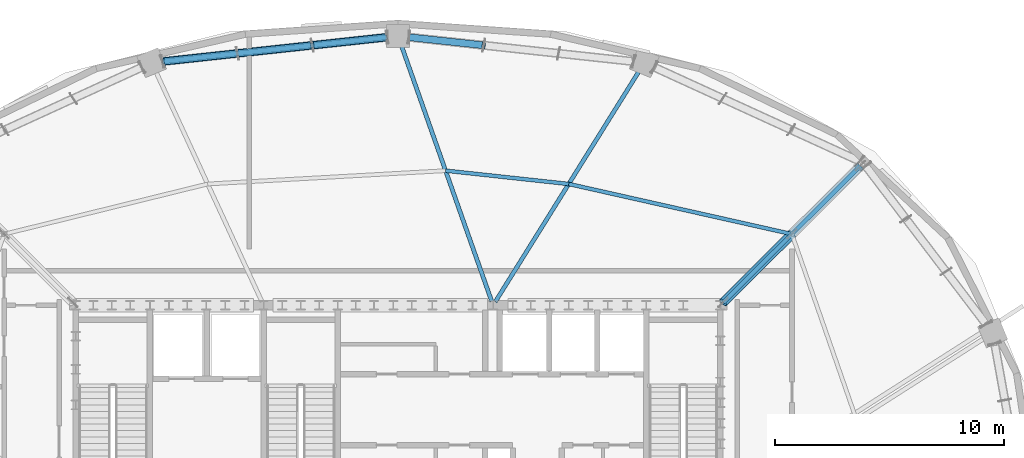
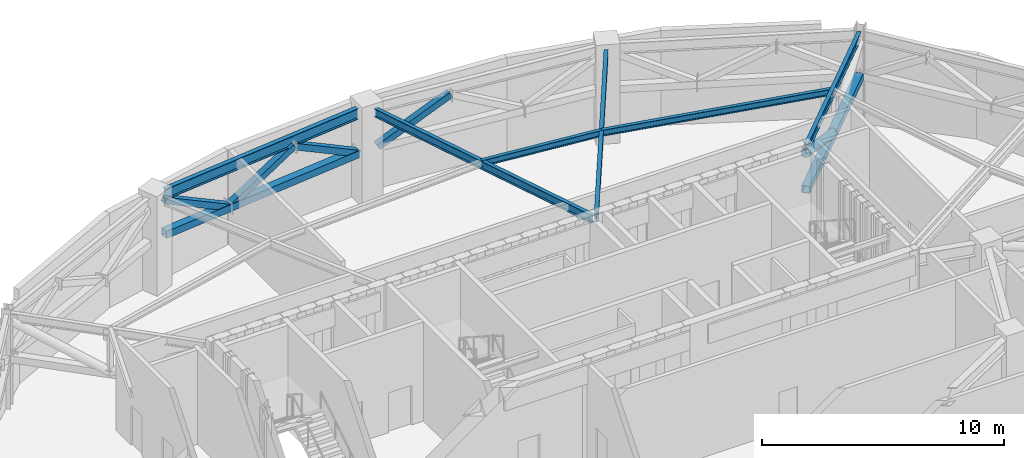
# One storey, part 7 of 20: 7 members, 6 beams.
"""IFC4 building model written with IfcOpenShell, lengths in metres."""

from ifc_helpers import new_model, si_unit, direction, frame, origin, origin_2d, place, context, subcontext, project, spatial, hollow_rectangle, hollow_circle, i_section, extrude, material, material_profile, profile_set, type_object, element, save


model = new_model("IFC4")

# Units and contexts
model_context = context("Model", 3, precision=1e-05, world=origin(), true_north=direction((0.0, 1.0)))
body_context = subcontext(model_context, "Body", "Model", "MODEL_VIEW")
ifc_project = project(units=[si_unit("LENGTHUNIT", "METRE"), si_unit("AREAUNIT", "SQUARE_METRE"), si_unit("VOLUMEUNIT", "CUBIC_METRE"), si_unit("PLANEANGLEUNIT", "RADIAN"), si_unit("MASSUNIT", "GRAM", prefix="KILO")], contexts=[model_context])

# Site, building, storey
site_placement = place(None, origin())
site = spatial("IfcSite", under=ifc_project, at=site_placement, CompositionType="ELEMENT")
building_placement = place(site_placement, origin())
building = spatial("IfcBuilding", under=site, at=building_placement, Name="Haldorwick Loom Tower", CompositionType="ELEMENT")
storey_placement = place(building_placement, frame((0.0, 0.0, 222.10009765625)))
storey = spatial("IfcBuildingStorey", under=building, at=storey_placement, Name="L60", CompositionType="ELEMENT", Elevation=222.10009765625)

# Beams
ifc_material = material(Name="Steel CSA G40.21 350W", Category="steel")
ifc_material_profile_1 = material_profile(ifc_material, i_section(OverallWidth=0.166015625, OverallDepth=0.31298828125, WebThickness=0.006591796875, FlangeThickness=0.01123046875, at=origin_2d()), Name="W310X45", Category="steel")
ifc_profile_set_1 = profile_set([ifc_material_profile_1], Name="Steel CSA G40.21 350W")
beam_type_1 = type_object("IfcBeamType", Name="STR-BM-J310", PredefinedType="JOIST", material=ifc_profile_set_1)
beam_1_placement = place(storey_placement, frame((53.19384765625, 38.657470703125, 4.603515625), z_axis=(-0.975700785876, 0.219107225898, 0.0), x_axis=(-0.219107225898, -0.975700785876, 0.0)))
element("IfcBeam", 1, at=beam_1_placement, inside=storey, type_object=beam_type_1, Name="L60 Mid-Bay Secondary Joist 3", PredefinedType="JOIST", context=body_context, shape_type="SweptSolid", body=[
    extrude(i_section(OverallWidth=0.166015625, OverallDepth=0.31298828125, WebThickness=0.006591796875, FlangeThickness=0.01123046875, at=origin_2d()), origin(), (0.0, 0.0, 1.0), 9.98486328125),
])
beam_2_placement = place(storey_placement, frame((43.45166015625, 40.84521484375, 4.603515625), z_axis=(-0.994187082722, 0.107666357549, 0.0), x_axis=(-0.107666357549, -0.994187082722, 0.0)))
element("IfcBeam", 2, at=beam_2_placement, inside=storey, type_object=beam_type_1, Name="L60 Mid-Bay Secondary Joist 4", PredefinedType="JOIST", context=body_context, shape_type="SweptSolid", body=[
    extrude(i_section(OverallWidth=0.166015625, OverallDepth=0.31298828125, WebThickness=0.006591796875, FlangeThickness=0.01123046875, at=origin_2d()), origin(), (0.0, 0.0, 1.0), 5.408203125),
])
ifc_material_profile_2 = material_profile(ifc_material, i_section(OverallWidth=0.179931640625, OverallDepth=0.4130859375, WebThickness=0.009765625, FlangeThickness=0.01611328125, at=origin_2d()), Name="W410X74", Category="steel")
ifc_profile_set_2 = profile_set([ifc_material_profile_2], Name="Steel CSA G40.21 350W")
beam_type_2 = type_object("IfcBeamType", Name="STR-BM-J410", PredefinedType="JOIST", material=ifc_profile_set_2)
beam_3_placement = place(storey_placement, frame((50.1962890625, 35.675537109375, 4.553466796875), z_axis=(0.708952100153, 0.70525663392, 0.0), x_axis=(-0.70525663392, 0.708952100153, 0.0)))
element("IfcBeam", 3, at=beam_3_placement, inside=storey, type_object=beam_type_2, Name="L60 Radial Floor Girder 3", PredefinedType="JOIST", context=body_context, shape_type="SweptSolid", body=[
    extrude(i_section(OverallWidth=0.179931640625, OverallDepth=0.4130859375, WebThickness=0.009765625, FlangeThickness=0.01611328125, at=origin_2d()), origin(), (0.0, 0.0, 1.0), 8.456298828125),
])
beam_4_placement = place(storey_placement, frame((40.244140625, 35.700927734375, 4.553466796875), z_axis=(0.529096919652, 0.848561400027, 0.0), x_axis=(-0.848561400027, 0.529096919652, 0.0)))
element("IfcBeam", 4, at=beam_4_placement, inside=storey, type_object=beam_type_2, Name="L60 Radial Floor Girder 4", PredefinedType="JOIST", context=body_context, shape_type="SweptSolid", body=[
    extrude(i_section(OverallWidth=0.179931640625, OverallDepth=0.4130859375, WebThickness=0.009765625, FlangeThickness=0.01611328125, at=origin_2d()), origin(), (0.0, 0.0, 1.0), 11.827880859375),
])
beam_5_placement = place(storey_placement, frame((40.0908203125, 35.7177734375, 4.553466796875), z_axis=(-0.332900112782, 0.942962096221, 0.0), x_axis=(-0.942962096221, -0.332900112782, 0.0)))
element("IfcBeam", 5, at=beam_5_placement, inside=storey, type_object=beam_type_2, Name="L60 Radial Floor Girder 5", PredefinedType="JOIST", context=body_context, shape_type="SweptSolid", body=[
    extrude(i_section(OverallWidth=0.179931640625, OverallDepth=0.4130859375, WebThickness=0.009765625, FlangeThickness=0.01611328125, at=origin_2d()), origin(), (0.0, 0.0, 1.0), 11.813232421875),
])
ifc_material_profile_3 = material_profile(ifc_material, i_section(OverallWidth=0.2119140625, OverallDepth=0.5439453125, WebThickness=0.01318359375, FlangeThickness=0.021240234375, at=origin_2d()), Name="W530X123", Category="steel")
ifc_profile_set_3 = profile_set([ifc_material_profile_3], Name="Steel CSA G40.21 350W")
beam_type_3 = type_object("IfcBeamType", Name="STR-BM-SP530", PredefinedType="SPANDREL", material=ifc_profile_set_3)
beam_6_placement = place(storey_placement, frame((35.52783203125, 47.25390625, 4.48779296875), z_axis=(-0.994187378218, -0.107663628917, 0.0), x_axis=(0.107663628917, -0.994187378218, 0.0)))
element("IfcBeam", 6, at=beam_6_placement, inside=storey, type_object=beam_type_3, Name="L60 Perimeter Spandrel 5", PredefinedType="SPANDREL", context=body_context, shape_type="SweptSolid", body=[
    extrude(i_section(OverallWidth=0.2119140625, OverallDepth=0.5439453125, WebThickness=0.01318359375, FlangeThickness=0.021240234375, at=origin_2d()), origin(), (0.0, 0.0, 1.0), 9.866455078125),
])

# Members
ifc_material_profile_4 = material_profile(ifc_material, hollow_rectangle(XDim=0.3046875, YDim=0.3046875, WallThickness=0.0126953125, at=origin_2d()), Name="HSS305X305X13", Category="steel")
ifc_profile_set_4 = profile_set([ifc_material_profile_4], Name="Steel CSA G40.21 350W")
member_type_1 = type_object("IfcMemberType", Name="STR-MEM-BR305", PredefinedType="BRACE", material=ifc_profile_set_4)
for number, where, z_axis, x_axis, name in (
    (7, (39.741943359375, 46.89990234375, 4.2158203125), (-0.881447092627, 0.095430320638, -0.462540892032), (-0.107636523121, -0.994190313215, 0.0), "L60 Perimeter Belt Truss Web Diagonal 4-3"),
    (8, (35.52783203125, 47.25390625, 2.5), (-0.881447092627, -0.095430320638, 0.462540892032), (0.107636523121, -0.994190313215, 0.0), "L60 Perimeter Belt Truss Web Diagonal 5-1"),
):
    element("IfcMember", number, at=place(storey_placement, frame(where, z_axis=z_axis, x_axis=x_axis)), inside=storey, type_object=member_type_1, Name=name, PredefinedType="BRACE", context=body_context, shape_type="SweptSolid", body=[
        extrude(hollow_rectangle(XDim=0.3046875, YDim=0.3046875, WallThickness=0.0126953125, at=origin_2d()), origin(), (0.0, 0.0, 1.0), 3.70947265625),
    ])
member_1_placement = place(storey_placement, frame((32.258056640625, 46.89990234375, 4.2158203125), z_axis=(-0.881432411467, -0.095435856976, -0.462567726089), x_axis=(0.107644467368, -0.994189453095, 0.0)))
element("IfcMember", 9, at=member_1_placement, inside=storey, type_object=member_type_1, Name="L60 Perimeter Belt Truss Web Diagonal 5-2", PredefinedType="BRACE", context=body_context, shape_type="SweptSolid", body=[
    extrude(hollow_rectangle(XDim=0.3046875, YDim=0.3046875, WallThickness=0.0126953125, at=origin_2d()), origin(), (0.0, 0.0, 1.0), 3.709228515625),
])
member_2_placement = place(storey_placement, frame((28.988525390625, 46.5458984375, 2.5), z_axis=(-0.881441554708, -0.095495534673, 0.462537985999), x_axis=(0.107709894302, -0.994182366907, 0.0)))
element("IfcMember", 10, at=member_2_placement, inside=storey, type_object=member_type_1, Name="L60 Perimeter Belt Truss Web Diagonal 5-3", PredefinedType="BRACE", context=body_context, shape_type="SweptSolid", body=[
    extrude(hollow_rectangle(XDim=0.3046875, YDim=0.3046875, WallThickness=0.0126953125, at=origin_2d()), origin(), (0.0, 0.0, 1.0), 3.70947265625),
])
ifc_material_profile_5 = material_profile(ifc_material, hollow_circle(Radius=0.203125, WallThickness=0.0126953125, at=origin_2d()), Name="HSS406X13", Category="steel")
ifc_profile_set_5 = profile_set([ifc_material_profile_5], Name="Steel CSA G40.21 350W")
member_type_2 = type_object("IfcMemberType", Name="STR-MEM-BR406C", PredefinedType="BRACE", material=ifc_profile_set_5)
member_3_placement = place(storey_placement, frame((50.1962890625, 35.675537109375, 4.346923828125), z_axis=(0.649674822532, 0.646288343574, -0.400292395541), x_axis=(-0.70525663392, 0.708952100153, 0.0)))
element("IfcMember", 11, at=member_3_placement, inside=storey, type_object=member_type_2, Name="L60 Outrigger OT-NE Inner Diagonal", PredefinedType="BRACE", context=body_context, shape_type="SweptSolid", body=[
    extrude(hollow_circle(Radius=0.203125, WallThickness=0.0126953125, at=origin_2d()), origin(), (0.0, 0.0, 1.0), 4.614013671875),
])
ifc_material_profile_6 = material_profile(ifc_material, hollow_rectangle(XDim=0.355712890625, YDim=0.355712890625, WallThickness=0.015869140625, at=origin_2d()), Name="HSS356X356X16", Category="steel")
ifc_profile_set_6 = profile_set([ifc_material_profile_6], Name="Steel CSA G40.21 350W")
member_type_3 = type_object("IfcMemberType", Name="STR-MEM-CH356", PredefinedType="CHORD", material=ifc_profile_set_6)
member_4_placement = place(storey_placement, frame((35.52783203125, 47.25390625, 2.5), z_axis=(-0.994187378218, -0.107663628917, 0.0), x_axis=(0.107663628917, -0.994187378218, 0.0)))
element("IfcMember", 12, at=member_4_placement, inside=storey, type_object=member_type_3, Name="L60 Perimeter Belt Truss Bottom Chord 5", PredefinedType="CHORD", context=body_context, shape_type="SweptSolid", body=[
    extrude(hollow_rectangle(XDim=0.355712890625, YDim=0.355712890625, WallThickness=0.015869140625, at=origin_2d()), origin(), (0.0, 0.0, 1.0), 9.866455078125),
])
member_5_placement = place(storey_placement, frame((50.1962890625, 35.675537109375, 2.5), z_axis=(0.708952100153, 0.70525663392, 0.0), x_axis=(-0.70525663392, 0.708952100153, 0.0)))
element("IfcMember", 13, at=member_5_placement, inside=storey, type_object=member_type_3, Name="L60 Outrigger OT-NE Bottom Chord", PredefinedType="CHORD", context=body_context, shape_type="SweptSolid", body=[
    extrude(hollow_rectangle(XDim=0.355712890625, YDim=0.355712890625, WallThickness=0.015869140625, at=origin_2d()), origin(), (0.0, 0.0, 1.0), 8.456298828125),
])

save(model, "model.ifc")
